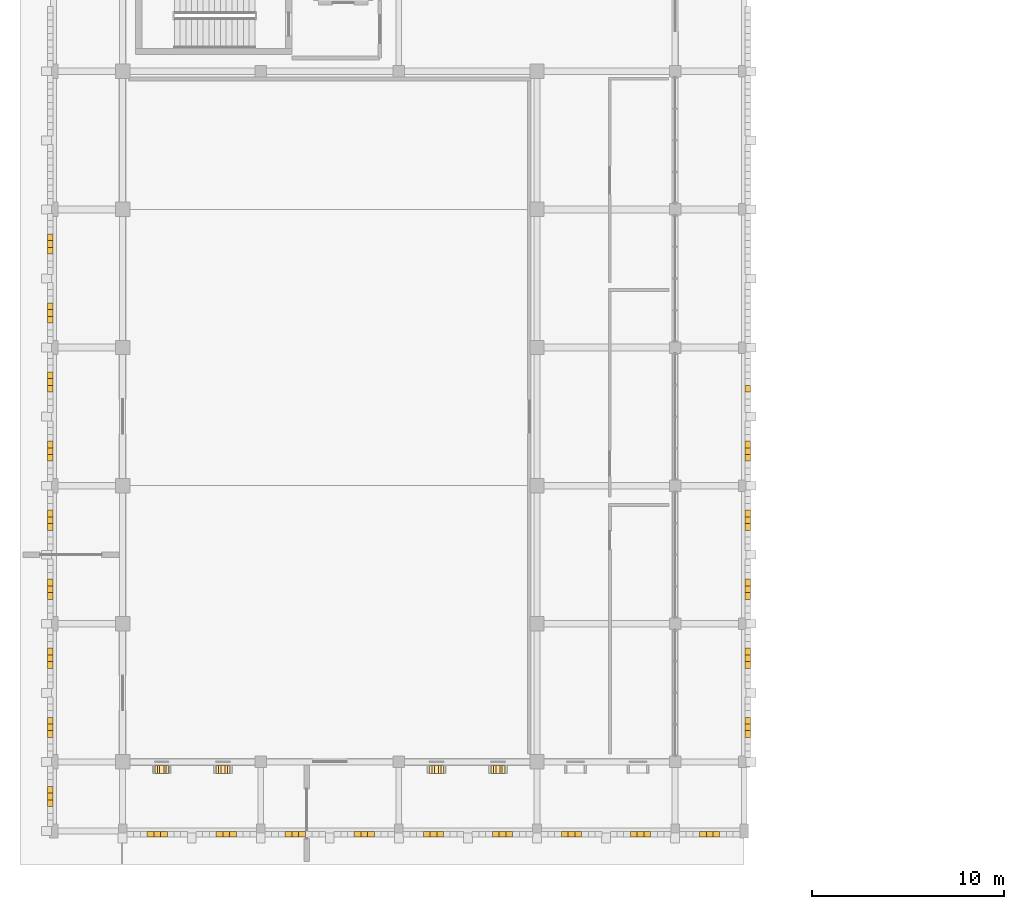
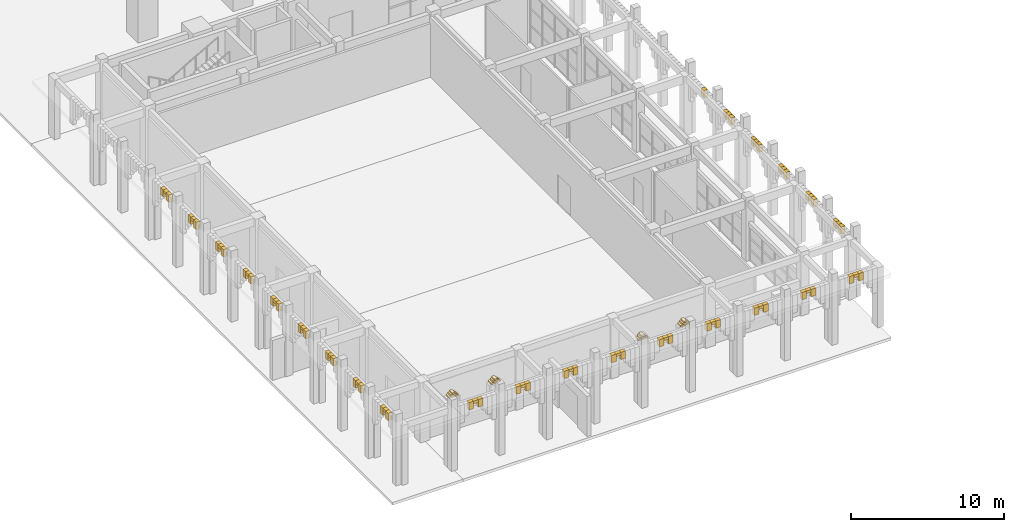
# One storey, part 64 of 72: 82 coverings.
"""IFC4 building model written with IfcOpenShell, lengths in metres."""

import ifcopenshell
import ifcopenshell.guid

model = None  # the IFC model being written
_history = None  # IfcOwnerHistory: only IFC2X3 demands one
_inside = {}  # id of a spatial element -> (the spatial element, [elements in it])
_under = {}  # id of a project, library or spatial element -> (it, [spatial elements below it])
_declared = {}  # id of a project -> (the project, [libraries it declares])
_typed = {}  # id of a type object -> (the type object, [elements of that type])
_made_of = {}  # id of a material, layer set ... -> (it, [elements and type objects made of it])


def new_model(schema):
    """Start an empty IFC model of exactly this schema.

    Asked for "IFC4X3", IfcOpenShell would pick the latest addendum, in which some entities
    have other attributes; the version numbers below select the first issue.
    IFC2X3 requires an IfcOwnerHistory on every rooted entity: one is made here for all.
    """
    global model, _history
    if schema == "IFC4X3":
        model = ifcopenshell.file(schema_version=(4, 3, 0, 0))
    else:
        model = ifcopenshell.file(schema=schema)
    _inside.clear()
    _under.clear()
    _declared.clear()
    _typed.clear()
    _made_of.clear()
    _history = None
    if model.schema == "IFC2X3":
        org = make("IfcOrganization", Name="unknown")
        user = make(
            "IfcPersonAndOrganization",
            ThePerson=make("IfcPerson", FamilyName="unknown"),
            TheOrganization=org,
        )
        app = make(
            "IfcApplication",
            ApplicationDeveloper=org,
            Version="unknown",
            ApplicationFullName="unknown",
            ApplicationIdentifier="unknown",
        )
        _history = make(
            "IfcOwnerHistory",
            OwningUser=user,
            OwningApplication=app,
            ChangeAction="ADDED",
            CreationDate=0,
        )
    return model


def make(cls, **values):
    """One entity of the class cls with the attributes given. An attribute that is None is left unset."""
    return model.create_entity(
        cls, **{name: value for name, value in values.items() if value is not None}
    )


def rooted(cls, **values):
    """An entity with a GlobalId (a new one), such as an element, a storey or a relation."""
    return make(cls, GlobalId=ifcopenshell.guid.new(), OwnerHistory=_history, **values)


def si_unit(unit_type, name, prefix=None):
    """IfcSIUnit, for example si_unit("LENGTHUNIT", "METRE", prefix="MILLI")."""
    return make("IfcSIUnit", UnitType=unit_type, Prefix=prefix, Name=name)


def assignment(units):
    """IfcUnitAssignment: the units of a project."""
    return None if units is None else make("IfcUnitAssignment", Units=units)


def point(xyz):
    """IfcCartesianPoint."""
    return None if xyz is None else make("IfcCartesianPoint", Coordinates=xyz)


def direction(xyz):
    """IfcDirection."""
    return None if xyz is None else make("IfcDirection", DirectionRatios=xyz)


def frame(location, z_axis=None, x_axis=None):
    """IfcAxis2Placement3D, a coordinate frame: its origin and axes. An axis left out is left unset."""
    return make(
        "IfcAxis2Placement3D",
        Location=point(location),
        Axis=direction(z_axis),
        RefDirection=direction(x_axis),
    )


def frame_2d(location, x_axis=None):
    """IfcAxis2Placement2D, a coordinate frame in the plane: its origin and x axis."""
    return make(
        "IfcAxis2Placement2D", Location=point(location), RefDirection=direction(x_axis)
    )


def origin():
    """The frame at (0, 0, 0) with its axes left unset."""
    return frame((0.0, 0.0, 0.0))


def origin_2d():
    """The frame at (0, 0) in the plane with its x axis left unset."""
    return frame_2d((0.0, 0.0))


def place(relative_to, where):
    """IfcLocalPlacement: puts the frame where relative to a parent placement (None: the world)."""
    return make(
        "IfcLocalPlacement", PlacementRelTo=relative_to, RelativePlacement=where
    )


def context(
    kind, dimensions, precision=None, world=None, true_north=None, identifier=None
):
    """IfcGeometricRepresentationContext, for example the 3D "Model" context."""
    return make(
        "IfcGeometricRepresentationContext",
        ContextIdentifier=identifier,
        ContextType=kind,
        CoordinateSpaceDimension=dimensions,
        Precision=precision,
        WorldCoordinateSystem=world,
        TrueNorth=true_north,
    )


def subcontext(parent, identifier, kind, view, scale=None):
    """IfcGeometricRepresentationSubContext, for example "Body" below "Model"."""
    return make(
        "IfcGeometricRepresentationSubContext",
        ContextIdentifier=identifier,
        ContextType=kind,
        ParentContext=parent,
        TargetScale=scale,
        TargetView=view,
    )


def project(units=None, contexts=None):
    """IfcProject with its units and contexts."""
    return rooted(
        "IfcProject",
        Name="project",
        RepresentationContexts=contexts,
        UnitsInContext=assignment(units),
    )


def spatial(cls, under=None, at=None, **own):
    """A site, building, storey or space (cls), placed at a placement, below another one or the project."""
    s = rooted(cls, ObjectPlacement=at, **own)
    if under is not None:
        _under.setdefault(under.id(), (under, []))[1].append(s)
    return s


def profile(cls, at=None, kind="AREA", **sizes):
    """A parametric profile (cls). Its sizes go by their IFC names, for example OverallWidth=200.0."""
    return make(cls, ProfileType=kind, Position=at, **sizes)


def rectangle(**sizes):
    """IfcRectangleProfileDef."""
    return profile("IfcRectangleProfileDef", **sizes)


def extrude(swept, where, along, depth):
    """IfcExtrudedAreaSolid: the profile swept, set in the frame where, extruded along a direction by depth."""
    return make(
        "IfcExtrudedAreaSolid",
        SweptArea=swept,
        Position=where,
        ExtrudedDirection=direction(along),
        Depth=depth,
    )


def shape(context_of_items, identifier, shape_type, items):
    """IfcShapeRepresentation: the items that make up one representation, for example the "Body"."""
    return make(
        "IfcShapeRepresentation",
        ContextOfItems=context_of_items,
        RepresentationIdentifier=identifier,
        RepresentationType=shape_type,
        Items=items,
    )


def material(Name=None, Category=None):
    """IfcMaterial."""
    return make("IfcMaterial", Name=Name, Category=Category)


def layer(
    of_material, thickness, ventilated=None, Name=None, Category=None, Priority=None
):
    """IfcMaterialLayer: one layer of a wall or slab, of a material (None: an air gap)."""
    return make(
        "IfcMaterialLayer",
        Material=of_material,
        LayerThickness=thickness,
        IsVentilated=ventilated,
        Name=Name,
        Category=Category,
        Priority=Priority,
    )


def layer_set(layers, Name=None):
    """IfcMaterialLayerSet."""
    return make("IfcMaterialLayerSet", MaterialLayers=layers, LayerSetName=Name)


def made_of(thing, what):
    """Note that an element or type object is made of a material, layer set ...; save() writes the relation."""
    if what is not None:
        _made_of.setdefault(what.id(), (what, []))[1].append(thing)
    return thing


def type_object(cls, material=None, **own):
    """A type object (cls), such as IfcWallType, which elements share."""
    return made_of(rooted(cls, **own), material)


def element(
    cls,
    number,
    at=None,
    inside=None,
    cuts=None,
    type_object=None,
    material=None,
    context=None,
    identifier="Body",
    shape_type=None,
    held_by="IfcProductDefinitionShape",
    body=None,
    shapes=None,
    **own,
):
    """One element of the class cls, such as IfcWall. Its Tag is "e" and its number.

    at: its placement. inside: the storey or other place that contains it. cuts: it is an
    opening in that element (IfcRelVoidsElement). A single representation is given by context,
    identifier, shape_type and body (its items); several are given by shapes. held_by: the class
    of the entity that holds the representations. save() writes the other relations.
    """
    e = rooted(cls, Tag="e%d" % number, ObjectPlacement=at, **own)
    if body is not None:
        shapes = [shape(context, identifier, shape_type, body)]
    if shapes is not None:
        e.Representation = make(held_by, Representations=shapes)
    if inside is not None:
        _inside.setdefault(inside.id(), (inside, []))[1].append(e)
    if cuts is not None:
        rooted(
            "IfcRelVoidsElement", RelatingBuildingElement=cuts, RelatedOpeningElement=e
        )
    if type_object is not None:
        _typed.setdefault(type_object.id(), (type_object, []))[1].append(e)
    return made_of(e, material)


def aggregate(whole, parts):
    """IfcRelAggregates: a whole, such as a stair, and the parts it consists of."""
    return rooted("IfcRelAggregates", RelatingObject=whole, RelatedObjects=parts)


def save(model, path):
    """Write the relations noted so far, then the file.

    IfcRelAggregates (storeys below a building ...), IfcRelContainedInSpatialStructure (elements
    in a storey), IfcRelDefinesByType, IfcRelAssociatesMaterial and IfcRelDeclares: one each for
    every whole, place, type object, material and project.
    """
    for whole, parts in _under.values():
        aggregate(whole, parts)
    for where, things in _inside.values():
        rooted(
            "IfcRelContainedInSpatialStructure",
            RelatedElements=things,
            RelatingStructure=where,
        )
    for kind, things in _typed.values():
        rooted("IfcRelDefinesByType", RelatedObjects=things, RelatingType=kind)
    for what, things in _made_of.values():
        rooted("IfcRelAssociatesMaterial", RelatedObjects=things, RelatingMaterial=what)
    for by, libraries in _declared.values():
        rooted("IfcRelDeclares", RelatingContext=by, RelatedDefinitions=libraries)
    model.write(path)


model = new_model("IFC4")

# Units and contexts
model_context = context("Model", 3, precision=1e-05, world=origin(), true_north=direction((0.0, 1.0)))
body_context = subcontext(model_context, "Body", "Model", "MODEL_VIEW")
ifc_project = project(units=[si_unit("LENGTHUNIT", "METRE"), si_unit("AREAUNIT", "SQUARE_METRE"), si_unit("VOLUMEUNIT", "CUBIC_METRE"), si_unit("PLANEANGLEUNIT", "RADIAN"), si_unit("MASSUNIT", "GRAM", prefix="KILO")], contexts=[model_context])

# Site, building, storey
site_placement = place(None, origin())
site = spatial("IfcSite", under=ifc_project, at=site_placement, CompositionType="ELEMENT")
building_placement = place(site_placement, origin())
building = spatial("IfcBuilding", under=site, at=building_placement, Name="Nzembalo Square Collegiate School", CompositionType="ELEMENT")
storey_placement = place(building_placement, origin())
storey = spatial("IfcBuildingStorey", under=building, at=storey_placement, Name="L00", CompositionType="ELEMENT", Elevation=0.0)

# Coverings
ifc_material_1 = material(Name="Precast concrete C40/50 arch voussoir", Category="concrete")
ifc_layer_1 = layer(ifc_material_1, 0.1201171875, Name="Precast concrete C40/50 arch voussoir")
ifc_layer_set_1 = layer_set([ifc_layer_1], Name="Precast concrete C40/50 arch voussoir")
covering_type_1 = type_object("IfcCoveringType", Name="AR01", PredefinedType="CLADDING", material=ifc_layer_set_1)
covering_1_placement = place(storey_placement, frame((4.6201171875, 6.248779296875, 4.2109375), z_axis=(0.0, 0.0, 1.0), x_axis=(1.0, 0.0, 0.0)))
element("IfcCovering", 1, at=covering_1_placement, inside=storey, type_object=covering_type_1, Name="Gothic pointed arch voussoir AR01-001-3", PredefinedType="CLADDING", context=body_context, shape_type="SweptSolid", body=[
    extrude(rectangle(XDim=0.280029296875, YDim=0.35107421875, at=origin_2d()), origin(), (0.0, 0.0, 1.0), 0.589111328125),
])
covering_2_placement = place(storey_placement, frame((4.6201171875, 6.599853515625, 4.579833984375), z_axis=(0.0, 0.0, 1.0), x_axis=(1.0, 0.0, 0.0)))
element("IfcCovering", 2, at=covering_2_placement, inside=storey, type_object=covering_type_1, Name="Gothic pointed arch voussoir AR01-001-4", PredefinedType="CLADDING", context=body_context, shape_type="SweptSolid", body=[
    extrude(rectangle(XDim=0.280029296875, YDim=0.35107421875, at=origin_2d()), origin(), (0.0, 0.0, 1.0), 0.22021484375),
])
for number, where, z_axis, x_axis, name in (
    (3, (4.6201171875, 6.950927734375, 4.2109375), (0.0, 0.0, 1.0), (1.0, 0.0, 0.0), "Gothic pointed arch voussoir AR01-001-5"),
    (4, (4.6201171875, 9.848876953125, 4.2109375), (0.0, 0.0, 1.0), (1.0, 0.0, 0.0), "Gothic pointed arch voussoir AR01-002-3"),
):
    element("IfcCovering", number, at=place(storey_placement, frame(where, z_axis=z_axis, x_axis=x_axis)), inside=storey, type_object=covering_type_1, Name=name, PredefinedType="CLADDING", context=body_context, shape_type="SweptSolid", body=[
        extrude(rectangle(XDim=0.280029296875, YDim=0.35107421875, at=origin_2d()), origin(), (0.0, 0.0, 1.0), 0.589111328125),
    ])
covering_3_placement = place(storey_placement, frame((4.6201171875, 10.199951171875, 4.579833984375), z_axis=(0.0, 0.0, 1.0), x_axis=(1.0, 0.0, 0.0)))
element("IfcCovering", 5, at=covering_3_placement, inside=storey, type_object=covering_type_1, Name="Gothic pointed arch voussoir AR01-002-4", PredefinedType="CLADDING", context=body_context, shape_type="SweptSolid", body=[
    extrude(rectangle(XDim=0.280029296875, YDim=0.35107421875, at=origin_2d()), origin(), (0.0, 0.0, 1.0), 0.22021484375),
])
for number, where, z_axis, x_axis, name in (
    (6, (4.6201171875, 10.551025390625, 4.2109375), (0.0, 0.0, 1.0), (1.0, 0.0, 0.0), "Gothic pointed arch voussoir AR01-002-5"),
    (7, (4.6201171875, 13.44873046875, 4.2109375), (0.0, 0.0, 1.0), (1.0, 0.0, 0.0), "Gothic pointed arch voussoir AR01-003-3"),
):
    element("IfcCovering", number, at=place(storey_placement, frame(where, z_axis=z_axis, x_axis=x_axis)), inside=storey, type_object=covering_type_1, Name=name, PredefinedType="CLADDING", context=body_context, shape_type="SweptSolid", body=[
        extrude(rectangle(XDim=0.280029296875, YDim=0.35107421875, at=origin_2d()), origin(), (0.0, 0.0, 1.0), 0.589111328125),
    ])
covering_4_placement = place(storey_placement, frame((4.6201171875, 13.7998046875, 4.579833984375), z_axis=(0.0, 0.0, 1.0), x_axis=(1.0, 0.0, 0.0)))
element("IfcCovering", 8, at=covering_4_placement, inside=storey, type_object=covering_type_1, Name="Gothic pointed arch voussoir AR01-003-4", PredefinedType="CLADDING", context=body_context, shape_type="SweptSolid", body=[
    extrude(rectangle(XDim=0.280029296875, YDim=0.35107421875, at=origin_2d()), origin(), (0.0, 0.0, 1.0), 0.22021484375),
])
for number, where, z_axis, x_axis, name in (
    (9, (4.6201171875, 14.15087890625, 4.2109375), (0.0, 0.0, 1.0), (1.0, 0.0, 0.0), "Gothic pointed arch voussoir AR01-003-5"),
    (10, (4.6201171875, 17.048828125, 4.2109375), (0.0, 0.0, 1.0), (1.0, 0.0, 0.0), "Gothic pointed arch voussoir AR01-004-3"),
):
    element("IfcCovering", number, at=place(storey_placement, frame(where, z_axis=z_axis, x_axis=x_axis)), inside=storey, type_object=covering_type_1, Name=name, PredefinedType="CLADDING", context=body_context, shape_type="SweptSolid", body=[
        extrude(rectangle(XDim=0.280029296875, YDim=0.35107421875, at=origin_2d()), origin(), (0.0, 0.0, 1.0), 0.589111328125),
    ])
covering_5_placement = place(storey_placement, frame((4.6201171875, 17.39990234375, 4.579833984375), z_axis=(0.0, 0.0, 1.0), x_axis=(1.0, 0.0, 0.0)))
element("IfcCovering", 11, at=covering_5_placement, inside=storey, type_object=covering_type_1, Name="Gothic pointed arch voussoir AR01-004-4", PredefinedType="CLADDING", context=body_context, shape_type="SweptSolid", body=[
    extrude(rectangle(XDim=0.280029296875, YDim=0.35107421875, at=origin_2d()), origin(), (0.0, 0.0, 1.0), 0.22021484375),
])
for number, where, z_axis, x_axis, name in (
    (12, (4.6201171875, 17.7509765625, 4.2109375), (0.0, 0.0, 1.0), (1.0, 0.0, 0.0), "Gothic pointed arch voussoir AR01-004-5"),
    (13, (4.6201171875, 20.648681640625, 4.2109375), (0.0, 0.0, 1.0), (1.0, 0.0, 0.0), "Gothic pointed arch voussoir AR01-005-3"),
):
    element("IfcCovering", number, at=place(storey_placement, frame(where, z_axis=z_axis, x_axis=x_axis)), inside=storey, type_object=covering_type_1, Name=name, PredefinedType="CLADDING", context=body_context, shape_type="SweptSolid", body=[
        extrude(rectangle(XDim=0.280029296875, YDim=0.35107421875, at=origin_2d()), origin(), (0.0, 0.0, 1.0), 0.589111328125),
    ])
covering_6_placement = place(storey_placement, frame((4.6201171875, 21.0, 4.579833984375), z_axis=(0.0, 0.0, 1.0), x_axis=(1.0, 0.0, 0.0)))
element("IfcCovering", 14, at=covering_6_placement, inside=storey, type_object=covering_type_1, Name="Gothic pointed arch voussoir AR01-005-4", PredefinedType="CLADDING", context=body_context, shape_type="SweptSolid", body=[
    extrude(rectangle(XDim=0.280029296875, YDim=0.35107421875, at=origin_2d()), origin(), (0.0, 0.0, 1.0), 0.22021484375),
])
for number, where, z_axis, x_axis, name in (
    (15, (4.6201171875, 21.35107421875, 4.2109375), (0.0, 0.0, 1.0), (1.0, 0.0, 0.0), "Gothic pointed arch voussoir AR01-005-5"),
    (16, (4.6201171875, 24.248779296875, 4.2109375), (0.0, 0.0, 1.0), (1.0, 0.0, 0.0), "Gothic pointed arch voussoir AR01-006-3"),
):
    element("IfcCovering", number, at=place(storey_placement, frame(where, z_axis=z_axis, x_axis=x_axis)), inside=storey, type_object=covering_type_1, Name=name, PredefinedType="CLADDING", context=body_context, shape_type="SweptSolid", body=[
        extrude(rectangle(XDim=0.280029296875, YDim=0.35107421875, at=origin_2d()), origin(), (0.0, 0.0, 1.0), 0.589111328125),
    ])
covering_7_placement = place(storey_placement, frame((4.6201171875, 24.599853515625, 4.579833984375), z_axis=(0.0, 0.0, 1.0), x_axis=(1.0, 0.0, 0.0)))
element("IfcCovering", 17, at=covering_7_placement, inside=storey, type_object=covering_type_1, Name="Gothic pointed arch voussoir AR01-006-4", PredefinedType="CLADDING", context=body_context, shape_type="SweptSolid", body=[
    extrude(rectangle(XDim=0.280029296875, YDim=0.35107421875, at=origin_2d()), origin(), (0.0, 0.0, 1.0), 0.22021484375),
])
for number, where, z_axis, x_axis, name in (
    (18, (4.6201171875, 24.951171875, 4.2109375), (0.0, 0.0, 1.0), (1.0, 0.0, 0.0), "Gothic pointed arch voussoir AR01-006-5"),
    (19, (4.6201171875, 27.848876953125, 4.2109375), (0.0, 0.0, 1.0), (1.0, 0.0, 0.0), "Gothic pointed arch voussoir AR01-007-3"),
):
    element("IfcCovering", number, at=place(storey_placement, frame(where, z_axis=z_axis, x_axis=x_axis)), inside=storey, type_object=covering_type_1, Name=name, PredefinedType="CLADDING", context=body_context, shape_type="SweptSolid", body=[
        extrude(rectangle(XDim=0.280029296875, YDim=0.35107421875, at=origin_2d()), origin(), (0.0, 0.0, 1.0), 0.589111328125),
    ])
covering_8_placement = place(storey_placement, frame((4.6201171875, 28.199951171875, 4.579833984375), z_axis=(0.0, 0.0, 1.0), x_axis=(1.0, 0.0, 0.0)))
element("IfcCovering", 20, at=covering_8_placement, inside=storey, type_object=covering_type_1, Name="Gothic pointed arch voussoir AR01-007-4", PredefinedType="CLADDING", context=body_context, shape_type="SweptSolid", body=[
    extrude(rectangle(XDim=0.280029296875, YDim=0.35107421875, at=origin_2d()), origin(), (0.0, 0.0, 1.0), 0.22021484375),
])
for number, where, z_axis, x_axis, name in (
    (21, (4.6201171875, 28.551025390625, 4.2109375), (0.0, 0.0, 1.0), (1.0, 0.0, 0.0), "Gothic pointed arch voussoir AR01-007-5"),
    (22, (4.6201171875, 31.448974609375, 4.2109375), (0.0, 0.0, 1.0), (1.0, 0.0, 0.0), "Gothic pointed arch voussoir AR01-008-3"),
):
    element("IfcCovering", number, at=place(storey_placement, frame(where, z_axis=z_axis, x_axis=x_axis)), inside=storey, type_object=covering_type_1, Name=name, PredefinedType="CLADDING", context=body_context, shape_type="SweptSolid", body=[
        extrude(rectangle(XDim=0.280029296875, YDim=0.35107421875, at=origin_2d()), origin(), (0.0, 0.0, 1.0), 0.589111328125),
    ])
covering_9_placement = place(storey_placement, frame((4.6201171875, 31.800048828125, 4.579833984375), z_axis=(0.0, 0.0, 1.0), x_axis=(1.0, 0.0, 0.0)))
element("IfcCovering", 23, at=covering_9_placement, inside=storey, type_object=covering_type_1, Name="Gothic pointed arch voussoir AR01-008-4", PredefinedType="CLADDING", context=body_context, shape_type="SweptSolid", body=[
    extrude(rectangle(XDim=0.280029296875, YDim=0.35107421875, at=origin_2d()), origin(), (0.0, 0.0, 1.0), 0.22021484375),
])
for number, where, z_axis, x_axis, name in (
    (24, (4.6201171875, 32.151123046875, 4.2109375), (0.0, 0.0, 1.0), (1.0, 0.0, 0.0), "Gothic pointed arch voussoir AR01-008-5"),
    (25, (4.6201171875, 35.048828125, 4.2109375), (0.0, 0.0, 1.0), (1.0, 0.0, 0.0), "Gothic pointed arch voussoir AR01-009-3"),
):
    element("IfcCovering", number, at=place(storey_placement, frame(where, z_axis=z_axis, x_axis=x_axis)), inside=storey, type_object=covering_type_1, Name=name, PredefinedType="CLADDING", context=body_context, shape_type="SweptSolid", body=[
        extrude(rectangle(XDim=0.280029296875, YDim=0.35107421875, at=origin_2d()), origin(), (0.0, 0.0, 1.0), 0.589111328125),
    ])
covering_10_placement = place(storey_placement, frame((4.6201171875, 35.39990234375, 4.579833984375), z_axis=(0.0, 0.0, 1.0), x_axis=(1.0, 0.0, 0.0)))
element("IfcCovering", 26, at=covering_10_placement, inside=storey, type_object=covering_type_1, Name="Gothic pointed arch voussoir AR01-009-4", PredefinedType="CLADDING", context=body_context, shape_type="SweptSolid", body=[
    extrude(rectangle(XDim=0.280029296875, YDim=0.35107421875, at=origin_2d()), origin(), (0.0, 0.0, 1.0), 0.22021484375),
])
covering_11_placement = place(storey_placement, frame((4.6201171875, 35.751220703125, 4.2109375), z_axis=(0.0, 0.0, 1.0), x_axis=(1.0, 0.0, 0.0)))
element("IfcCovering", 27, at=covering_11_placement, inside=storey, type_object=covering_type_1, Name="Gothic pointed arch voussoir AR01-009-5", PredefinedType="CLADDING", context=body_context, shape_type="SweptSolid", body=[
    extrude(rectangle(XDim=0.280029296875, YDim=0.35107421875, at=origin_2d()), origin(), (0.0, 0.0, 1.0), 0.589111328125),
])
covering_12_placement = place(storey_placement, frame((9.848876953125, 4.6201171875, 4.2109375), z_axis=(0.0, 0.0, 1.0), x_axis=(1.0, 0.0, 0.0)))
element("IfcCovering", 28, at=covering_12_placement, inside=storey, type_object=covering_type_1, Name="Gothic pointed arch voussoir AR01-022-3", PredefinedType="CLADDING", context=body_context, shape_type="SweptSolid", body=[
    extrude(rectangle(XDim=0.35107421875, YDim=0.280029296875, at=origin_2d()), origin(), (0.0, 0.0, 1.0), 0.589111328125),
])
covering_13_placement = place(storey_placement, frame((10.199951171875, 4.6201171875, 4.579833984375), z_axis=(0.0, 0.0, 1.0), x_axis=(1.0, 0.0, 0.0)))
element("IfcCovering", 29, at=covering_13_placement, inside=storey, type_object=covering_type_1, Name="Gothic pointed arch voussoir AR01-022-4", PredefinedType="CLADDING", context=body_context, shape_type="SweptSolid", body=[
    extrude(rectangle(XDim=0.35107421875, YDim=0.280029296875, at=origin_2d()), origin(), (0.0, 0.0, 1.0), 0.22021484375),
])
for number, where, z_axis, x_axis, name in (
    (30, (10.551025390625, 4.6201171875, 4.2109375), (0.0, 0.0, 1.0), (1.0, 0.0, 0.0), "Gothic pointed arch voussoir AR01-022-5"),
    (31, (13.448974609375, 4.6201171875, 4.2109375), (0.0, 0.0, 1.0), (1.0, 0.0, 0.0), "Gothic pointed arch voussoir AR01-023-3"),
):
    element("IfcCovering", number, at=place(storey_placement, frame(where, z_axis=z_axis, x_axis=x_axis)), inside=storey, type_object=covering_type_1, Name=name, PredefinedType="CLADDING", context=body_context, shape_type="SweptSolid", body=[
        extrude(rectangle(XDim=0.35107421875, YDim=0.280029296875, at=origin_2d()), origin(), (0.0, 0.0, 1.0), 0.589111328125),
    ])
covering_14_placement = place(storey_placement, frame((13.800048828125, 4.6201171875, 4.579833984375), z_axis=(0.0, 0.0, 1.0), x_axis=(1.0, 0.0, 0.0)))
element("IfcCovering", 32, at=covering_14_placement, inside=storey, type_object=covering_type_1, Name="Gothic pointed arch voussoir AR01-023-4", PredefinedType="CLADDING", context=body_context, shape_type="SweptSolid", body=[
    extrude(rectangle(XDim=0.35107421875, YDim=0.280029296875, at=origin_2d()), origin(), (0.0, 0.0, 1.0), 0.22021484375),
])
for number, where, z_axis, x_axis, name in (
    (33, (14.151123046875, 4.6201171875, 4.2109375), (0.0, 0.0, 1.0), (1.0, 0.0, 0.0), "Gothic pointed arch voussoir AR01-023-5"),
    (34, (17.048828125, 4.6201171875, 4.2109375), (0.0, 0.0, 1.0), (1.0, 0.0, 0.0), "Gothic pointed arch voussoir AR01-024-3"),
):
    element("IfcCovering", number, at=place(storey_placement, frame(where, z_axis=z_axis, x_axis=x_axis)), inside=storey, type_object=covering_type_1, Name=name, PredefinedType="CLADDING", context=body_context, shape_type="SweptSolid", body=[
        extrude(rectangle(XDim=0.35107421875, YDim=0.280029296875, at=origin_2d()), origin(), (0.0, 0.0, 1.0), 0.589111328125),
    ])
covering_15_placement = place(storey_placement, frame((17.39990234375, 4.6201171875, 4.579833984375), z_axis=(0.0, 0.0, 1.0), x_axis=(1.0, 0.0, 0.0)))
element("IfcCovering", 35, at=covering_15_placement, inside=storey, type_object=covering_type_1, Name="Gothic pointed arch voussoir AR01-024-4", PredefinedType="CLADDING", context=body_context, shape_type="SweptSolid", body=[
    extrude(rectangle(XDim=0.35107421875, YDim=0.280029296875, at=origin_2d()), origin(), (0.0, 0.0, 1.0), 0.22021484375),
])
for number, where, z_axis, x_axis, name in (
    (36, (17.751220703125, 4.6201171875, 4.2109375), (0.0, 0.0, 1.0), (1.0, 0.0, 0.0), "Gothic pointed arch voussoir AR01-024-5"),
    (37, (20.64892578125, 4.6201171875, 4.2109375), (0.0, 0.0, 1.0), (1.0, 0.0, 0.0), "Gothic pointed arch voussoir AR01-025-3"),
):
    element("IfcCovering", number, at=place(storey_placement, frame(where, z_axis=z_axis, x_axis=x_axis)), inside=storey, type_object=covering_type_1, Name=name, PredefinedType="CLADDING", context=body_context, shape_type="SweptSolid", body=[
        extrude(rectangle(XDim=0.35107421875, YDim=0.280029296875, at=origin_2d()), origin(), (0.0, 0.0, 1.0), 0.589111328125),
    ])
covering_16_placement = place(storey_placement, frame((21.0, 4.6201171875, 4.579833984375), z_axis=(0.0, 0.0, 1.0), x_axis=(1.0, 0.0, 0.0)))
element("IfcCovering", 38, at=covering_16_placement, inside=storey, type_object=covering_type_1, Name="Gothic pointed arch voussoir AR01-025-4", PredefinedType="CLADDING", context=body_context, shape_type="SweptSolid", body=[
    extrude(rectangle(XDim=0.35107421875, YDim=0.280029296875, at=origin_2d()), origin(), (0.0, 0.0, 1.0), 0.22021484375),
])
for number, where, z_axis, x_axis, name in (
    (39, (21.35107421875, 4.6201171875, 4.2109375), (0.0, 0.0, 1.0), (1.0, 0.0, 0.0), "Gothic pointed arch voussoir AR01-025-5"),
    (40, (24.248779296875, 4.6201171875, 4.2109375), (0.0, 0.0, 1.0), (1.0, 0.0, 0.0), "Gothic pointed arch voussoir AR01-026-3"),
):
    element("IfcCovering", number, at=place(storey_placement, frame(where, z_axis=z_axis, x_axis=x_axis)), inside=storey, type_object=covering_type_1, Name=name, PredefinedType="CLADDING", context=body_context, shape_type="SweptSolid", body=[
        extrude(rectangle(XDim=0.35107421875, YDim=0.280029296875, at=origin_2d()), origin(), (0.0, 0.0, 1.0), 0.589111328125),
    ])
covering_17_placement = place(storey_placement, frame((24.60009765625, 4.6201171875, 4.579833984375), z_axis=(0.0, 0.0, 1.0), x_axis=(1.0, 0.0, 0.0)))
element("IfcCovering", 41, at=covering_17_placement, inside=storey, type_object=covering_type_1, Name="Gothic pointed arch voussoir AR01-026-4", PredefinedType="CLADDING", context=body_context, shape_type="SweptSolid", body=[
    extrude(rectangle(XDim=0.35107421875, YDim=0.280029296875, at=origin_2d()), origin(), (0.0, 0.0, 1.0), 0.22021484375),
])
for number, where, z_axis, x_axis, name in (
    (42, (24.951171875, 4.6201171875, 4.2109375), (0.0, 0.0, 1.0), (1.0, 0.0, 0.0), "Gothic pointed arch voussoir AR01-026-5"),
    (43, (27.848876953125, 4.6201171875, 4.2109375), (0.0, 0.0, 1.0), (1.0, 0.0, 0.0), "Gothic pointed arch voussoir AR01-027-3"),
):
    element("IfcCovering", number, at=place(storey_placement, frame(where, z_axis=z_axis, x_axis=x_axis)), inside=storey, type_object=covering_type_1, Name=name, PredefinedType="CLADDING", context=body_context, shape_type="SweptSolid", body=[
        extrude(rectangle(XDim=0.35107421875, YDim=0.280029296875, at=origin_2d()), origin(), (0.0, 0.0, 1.0), 0.589111328125),
    ])
covering_18_placement = place(storey_placement, frame((28.199951171875, 4.6201171875, 4.579833984375), z_axis=(0.0, 0.0, 1.0), x_axis=(1.0, 0.0, 0.0)))
element("IfcCovering", 44, at=covering_18_placement, inside=storey, type_object=covering_type_1, Name="Gothic pointed arch voussoir AR01-027-4", PredefinedType="CLADDING", context=body_context, shape_type="SweptSolid", body=[
    extrude(rectangle(XDim=0.35107421875, YDim=0.280029296875, at=origin_2d()), origin(), (0.0, 0.0, 1.0), 0.22021484375),
])
for number, where, z_axis, x_axis, name in (
    (45, (28.551025390625, 4.6201171875, 4.2109375), (0.0, 0.0, 1.0), (1.0, 0.0, 0.0), "Gothic pointed arch voussoir AR01-027-5"),
    (46, (31.448974609375, 4.6201171875, 4.2109375), (0.0, 0.0, 1.0), (1.0, 0.0, 0.0), "Gothic pointed arch voussoir AR01-028-3"),
):
    element("IfcCovering", number, at=place(storey_placement, frame(where, z_axis=z_axis, x_axis=x_axis)), inside=storey, type_object=covering_type_1, Name=name, PredefinedType="CLADDING", context=body_context, shape_type="SweptSolid", body=[
        extrude(rectangle(XDim=0.35107421875, YDim=0.280029296875, at=origin_2d()), origin(), (0.0, 0.0, 1.0), 0.589111328125),
    ])
covering_19_placement = place(storey_placement, frame((31.800048828125, 4.6201171875, 4.579833984375), z_axis=(0.0, 0.0, 1.0), x_axis=(1.0, 0.0, 0.0)))
element("IfcCovering", 47, at=covering_19_placement, inside=storey, type_object=covering_type_1, Name="Gothic pointed arch voussoir AR01-028-4", PredefinedType="CLADDING", context=body_context, shape_type="SweptSolid", body=[
    extrude(rectangle(XDim=0.35107421875, YDim=0.280029296875, at=origin_2d()), origin(), (0.0, 0.0, 1.0), 0.22021484375),
])
for number, where, z_axis, x_axis, name in (
    (48, (32.151123046875, 4.6201171875, 4.2109375), (0.0, 0.0, 1.0), (1.0, 0.0, 0.0), "Gothic pointed arch voussoir AR01-028-5"),
    (49, (35.048828125, 4.6201171875, 4.2109375), (0.0, 0.0, 1.0), (1.0, 0.0, 0.0), "Gothic pointed arch voussoir AR01-029-3"),
):
    element("IfcCovering", number, at=place(storey_placement, frame(where, z_axis=z_axis, x_axis=x_axis)), inside=storey, type_object=covering_type_1, Name=name, PredefinedType="CLADDING", context=body_context, shape_type="SweptSolid", body=[
        extrude(rectangle(XDim=0.35107421875, YDim=0.280029296875, at=origin_2d()), origin(), (0.0, 0.0, 1.0), 0.589111328125),
    ])
covering_20_placement = place(storey_placement, frame((35.39990234375, 4.6201171875, 4.579833984375), z_axis=(0.0, 0.0, 1.0), x_axis=(1.0, 0.0, 0.0)))
element("IfcCovering", 50, at=covering_20_placement, inside=storey, type_object=covering_type_1, Name="Gothic pointed arch voussoir AR01-029-4", PredefinedType="CLADDING", context=body_context, shape_type="SweptSolid", body=[
    extrude(rectangle(XDim=0.35107421875, YDim=0.280029296875, at=origin_2d()), origin(), (0.0, 0.0, 1.0), 0.22021484375),
])
for number, where, z_axis, x_axis, name in (
    (51, (35.751220703125, 4.6201171875, 4.2109375), (0.0, 0.0, 1.0), (1.0, 0.0, 0.0), "Gothic pointed arch voussoir AR01-029-5"),
    (52, (38.64892578125, 4.6201171875, 4.2109375), (0.0, 0.0, 1.0), (1.0, 0.0, 0.0), "Gothic pointed arch voussoir AR01-030-3"),
):
    element("IfcCovering", number, at=place(storey_placement, frame(where, z_axis=z_axis, x_axis=x_axis)), inside=storey, type_object=covering_type_1, Name=name, PredefinedType="CLADDING", context=body_context, shape_type="SweptSolid", body=[
        extrude(rectangle(XDim=0.35107421875, YDim=0.280029296875, at=origin_2d()), origin(), (0.0, 0.0, 1.0), 0.589111328125),
    ])
covering_21_placement = place(storey_placement, frame((39.0, 4.6201171875, 4.579833984375), z_axis=(0.0, 0.0, 1.0), x_axis=(1.0, 0.0, 0.0)))
element("IfcCovering", 53, at=covering_21_placement, inside=storey, type_object=covering_type_1, Name="Gothic pointed arch voussoir AR01-030-4", PredefinedType="CLADDING", context=body_context, shape_type="SweptSolid", body=[
    extrude(rectangle(XDim=0.35107421875, YDim=0.280029296875, at=origin_2d()), origin(), (0.0, 0.0, 1.0), 0.22021484375),
])
covering_22_placement = place(storey_placement, frame((39.35107421875, 4.6201171875, 4.2109375), z_axis=(0.0, 0.0, 1.0), x_axis=(1.0, 0.0, 0.0)))
element("IfcCovering", 54, at=covering_22_placement, inside=storey, type_object=covering_type_1, Name="Gothic pointed arch voussoir AR01-030-5", PredefinedType="CLADDING", context=body_context, shape_type="SweptSolid", body=[
    extrude(rectangle(XDim=0.35107421875, YDim=0.280029296875, at=origin_2d()), origin(), (0.0, 0.0, 1.0), 0.589111328125),
])
covering_23_placement = place(storey_placement, frame((40.97998046875, 9.848876953125, 4.2109375), z_axis=(0.0, 0.0, 1.0), x_axis=(1.0, 0.0, 0.0)))
element("IfcCovering", 55, at=covering_23_placement, inside=storey, type_object=covering_type_1, Name="Gothic pointed arch voussoir AR01-031-3", PredefinedType="CLADDING", context=body_context, shape_type="SweptSolid", body=[
    extrude(rectangle(XDim=0.280029296875, YDim=0.35107421875, at=origin_2d()), origin(), (0.0, 0.0, 1.0), 0.589111328125),
])
covering_24_placement = place(storey_placement, frame((40.97998046875, 10.199951171875, 4.579833984375), z_axis=(0.0, 0.0, 1.0), x_axis=(1.0, 0.0, 0.0)))
element("IfcCovering", 56, at=covering_24_placement, inside=storey, type_object=covering_type_1, Name="Gothic pointed arch voussoir AR01-031-4", PredefinedType="CLADDING", context=body_context, shape_type="SweptSolid", body=[
    extrude(rectangle(XDim=0.280029296875, YDim=0.35107421875, at=origin_2d()), origin(), (0.0, 0.0, 1.0), 0.22021484375),
])
for number, where, z_axis, x_axis, name in (
    (57, (40.97998046875, 10.551025390625, 4.2109375), (0.0, 0.0, 1.0), (1.0, 0.0, 0.0), "Gothic pointed arch voussoir AR01-031-5"),
    (58, (40.97998046875, 13.448974609375, 4.2109375), (0.0, 0.0, 1.0), (1.0, 0.0, 0.0), "Gothic pointed arch voussoir AR01-032-3"),
):
    element("IfcCovering", number, at=place(storey_placement, frame(where, z_axis=z_axis, x_axis=x_axis)), inside=storey, type_object=covering_type_1, Name=name, PredefinedType="CLADDING", context=body_context, shape_type="SweptSolid", body=[
        extrude(rectangle(XDim=0.280029296875, YDim=0.35107421875, at=origin_2d()), origin(), (0.0, 0.0, 1.0), 0.589111328125),
    ])
covering_25_placement = place(storey_placement, frame((40.97998046875, 13.800048828125, 4.579833984375), z_axis=(0.0, 0.0, 1.0), x_axis=(1.0, 0.0, 0.0)))
element("IfcCovering", 59, at=covering_25_placement, inside=storey, type_object=covering_type_1, Name="Gothic pointed arch voussoir AR01-032-4", PredefinedType="CLADDING", context=body_context, shape_type="SweptSolid", body=[
    extrude(rectangle(XDim=0.280029296875, YDim=0.35107421875, at=origin_2d()), origin(), (0.0, 0.0, 1.0), 0.22021484375),
])
for number, where, z_axis, x_axis, name in (
    (60, (40.97998046875, 14.151123046875, 4.2109375), (0.0, 0.0, 1.0), (1.0, 0.0, 0.0), "Gothic pointed arch voussoir AR01-032-5"),
    (61, (40.97998046875, 17.048828125, 4.2109375), (0.0, 0.0, 1.0), (1.0, 0.0, 0.0), "Gothic pointed arch voussoir AR01-033-3"),
):
    element("IfcCovering", number, at=place(storey_placement, frame(where, z_axis=z_axis, x_axis=x_axis)), inside=storey, type_object=covering_type_1, Name=name, PredefinedType="CLADDING", context=body_context, shape_type="SweptSolid", body=[
        extrude(rectangle(XDim=0.280029296875, YDim=0.35107421875, at=origin_2d()), origin(), (0.0, 0.0, 1.0), 0.589111328125),
    ])
covering_26_placement = place(storey_placement, frame((40.97998046875, 17.39990234375, 4.579833984375), z_axis=(0.0, 0.0, 1.0), x_axis=(1.0, 0.0, 0.0)))
element("IfcCovering", 62, at=covering_26_placement, inside=storey, type_object=covering_type_1, Name="Gothic pointed arch voussoir AR01-033-4", PredefinedType="CLADDING", context=body_context, shape_type="SweptSolid", body=[
    extrude(rectangle(XDim=0.280029296875, YDim=0.35107421875, at=origin_2d()), origin(), (0.0, 0.0, 1.0), 0.22021484375),
])
for number, where, z_axis, x_axis, name in (
    (63, (40.97998046875, 17.751220703125, 4.2109375), (0.0, 0.0, 1.0), (1.0, 0.0, 0.0), "Gothic pointed arch voussoir AR01-033-5"),
    (64, (40.97998046875, 20.64892578125, 4.2109375), (0.0, 0.0, 1.0), (1.0, 0.0, 0.0), "Gothic pointed arch voussoir AR01-034-3"),
):
    element("IfcCovering", number, at=place(storey_placement, frame(where, z_axis=z_axis, x_axis=x_axis)), inside=storey, type_object=covering_type_1, Name=name, PredefinedType="CLADDING", context=body_context, shape_type="SweptSolid", body=[
        extrude(rectangle(XDim=0.280029296875, YDim=0.35107421875, at=origin_2d()), origin(), (0.0, 0.0, 1.0), 0.589111328125),
    ])
covering_27_placement = place(storey_placement, frame((40.97998046875, 21.0, 4.579833984375), z_axis=(0.0, 0.0, 1.0), x_axis=(1.0, 0.0, 0.0)))
element("IfcCovering", 65, at=covering_27_placement, inside=storey, type_object=covering_type_1, Name="Gothic pointed arch voussoir AR01-034-4", PredefinedType="CLADDING", context=body_context, shape_type="SweptSolid", body=[
    extrude(rectangle(XDim=0.280029296875, YDim=0.35107421875, at=origin_2d()), origin(), (0.0, 0.0, 1.0), 0.22021484375),
])
for number, where, z_axis, x_axis, name in (
    (66, (40.97998046875, 21.35107421875, 4.2109375), (0.0, 0.0, 1.0), (1.0, 0.0, 0.0), "Gothic pointed arch voussoir AR01-034-5"),
    (67, (40.97998046875, 24.248779296875, 4.2109375), (0.0, 0.0, 1.0), (1.0, 0.0, 0.0), "Gothic pointed arch voussoir AR01-035-3"),
):
    element("IfcCovering", number, at=place(storey_placement, frame(where, z_axis=z_axis, x_axis=x_axis)), inside=storey, type_object=covering_type_1, Name=name, PredefinedType="CLADDING", context=body_context, shape_type="SweptSolid", body=[
        extrude(rectangle(XDim=0.280029296875, YDim=0.35107421875, at=origin_2d()), origin(), (0.0, 0.0, 1.0), 0.589111328125),
    ])
covering_28_placement = place(storey_placement, frame((40.97998046875, 24.60009765625, 4.579833984375), z_axis=(0.0, 0.0, 1.0), x_axis=(1.0, 0.0, 0.0)))
element("IfcCovering", 68, at=covering_28_placement, inside=storey, type_object=covering_type_1, Name="Gothic pointed arch voussoir AR01-035-4", PredefinedType="CLADDING", context=body_context, shape_type="SweptSolid", body=[
    extrude(rectangle(XDim=0.280029296875, YDim=0.35107421875, at=origin_2d()), origin(), (0.0, 0.0, 1.0), 0.22021484375),
])
for number, where, z_axis, x_axis, name in (
    (69, (40.97998046875, 24.951171875, 4.2109375), (0.0, 0.0, 1.0), (1.0, 0.0, 0.0), "Gothic pointed arch voussoir AR01-035-5"),
    (70, (40.97998046875, 27.848876953125, 4.2109375), (0.0, 0.0, 1.0), (1.0, 0.0, 0.0), "Gothic pointed arch voussoir AR01-036-3"),
):
    element("IfcCovering", number, at=place(storey_placement, frame(where, z_axis=z_axis, x_axis=x_axis)), inside=storey, type_object=covering_type_1, Name=name, PredefinedType="CLADDING", context=body_context, shape_type="SweptSolid", body=[
        extrude(rectangle(XDim=0.280029296875, YDim=0.35107421875, at=origin_2d()), origin(), (0.0, 0.0, 1.0), 0.589111328125),
    ])
ifc_material_2 = material(Name="Glazed celadon ceramic window frame")
ifc_layer_2 = layer(ifc_material_2, 0.419921875, Name="Glazed celadon ceramic window frame")
ifc_layer_set_2 = layer_set([ifc_layer_2], Name="Glazed celadon ceramic window frame")
covering_type_2 = type_object("IfcCoveringType", Name="WF01", PredefinedType="CLADDING", material=ifc_layer_set_2)
covering_29_placement = place(storey_placement, frame((10.439697265625, 8.014892578125, 2.9599609375), z_axis=(0.0, 0.0, 1.0), x_axis=(1.0, 0.0, 0.0)))
element("IfcCovering", 71, at=covering_29_placement, inside=storey, type_object=covering_type_2, Name="Pointed lancet gable WF01-0001-1", PredefinedType="CLADDING", context=body_context, shape_type="SweptSolid", body=[
    extrude(rectangle(XDim=0.721923828125, YDim=0.419921875, at=origin_2d()), origin(), (0.0, 0.0, 1.0), 0.1201171875),
])
covering_30_placement = place(storey_placement, frame((10.439697265625, 8.014892578125, 3.079833984375), z_axis=(0.0, 0.0, 1.0), x_axis=(1.0, 0.0, 0.0)))
element("IfcCovering", 72, at=covering_30_placement, inside=storey, type_object=covering_type_2, Name="Pointed lancet gable WF01-0001-2", PredefinedType="CLADDING", context=body_context, shape_type="SweptSolid", body=[
    extrude(rectangle(XDim=0.4560546875, YDim=0.419921875, at=origin_2d()), origin(), (0.0, 0.0, 1.0), 0.1201171875),
])
covering_31_placement = place(storey_placement, frame((10.439697265625, 8.014892578125, 3.199951171875), z_axis=(0.0, 0.0, 1.0), x_axis=(1.0, 0.0, 0.0)))
element("IfcCovering", 73, at=covering_31_placement, inside=storey, type_object=covering_type_2, Name="Pointed lancet gable WF01-0001-3", PredefinedType="CLADDING", context=body_context, shape_type="SweptSolid", body=[
    extrude(rectangle(XDim=0.208984375, YDim=0.419921875, at=origin_2d()), origin(), (0.0, 0.0, 1.0), 0.1201171875),
])
covering_32_placement = place(storey_placement, frame((13.63525390625, 8.014892578125, 2.9599609375), z_axis=(0.0, 0.0, 1.0), x_axis=(1.0, 0.0, 0.0)))
element("IfcCovering", 74, at=covering_32_placement, inside=storey, type_object=covering_type_2, Name="Pointed lancet gable WF01-0002-1", PredefinedType="CLADDING", context=body_context, shape_type="SweptSolid", body=[
    extrude(rectangle(XDim=0.721923828125, YDim=0.419921875, at=origin_2d()), origin(), (0.0, 0.0, 1.0), 0.1201171875),
])
covering_33_placement = place(storey_placement, frame((13.63525390625, 8.014892578125, 3.079833984375), z_axis=(0.0, 0.0, 1.0), x_axis=(1.0, 0.0, 0.0)))
element("IfcCovering", 75, at=covering_33_placement, inside=storey, type_object=covering_type_2, Name="Pointed lancet gable WF01-0002-2", PredefinedType="CLADDING", context=body_context, shape_type="SweptSolid", body=[
    extrude(rectangle(XDim=0.4560546875, YDim=0.419921875, at=origin_2d()), origin(), (0.0, 0.0, 1.0), 0.1201171875),
])
covering_34_placement = place(storey_placement, frame((13.63525390625, 8.014892578125, 3.199951171875), z_axis=(0.0, 0.0, 1.0), x_axis=(1.0, 0.0, 0.0)))
element("IfcCovering", 76, at=covering_34_placement, inside=storey, type_object=covering_type_2, Name="Pointed lancet gable WF01-0002-3", PredefinedType="CLADDING", context=body_context, shape_type="SweptSolid", body=[
    extrude(rectangle(XDim=0.208984375, YDim=0.419921875, at=origin_2d()), origin(), (0.0, 0.0, 1.0), 0.1201171875),
])
covering_35_placement = place(storey_placement, frame((24.7646484375, 8.014892578125, 2.56005859375), z_axis=(0.0, 0.0, 1.0), x_axis=(1.0, 0.0, 0.0)))
element("IfcCovering", 77, at=covering_35_placement, inside=storey, type_object=covering_type_2, Name="Pointed lancet gable WF01-0003-1", PredefinedType="CLADDING", context=body_context, shape_type="SweptSolid", body=[
    extrude(rectangle(XDim=0.721923828125, YDim=0.419921875, at=origin_2d()), origin(), (0.0, 0.0, 1.0), 0.1201171875),
])
covering_36_placement = place(storey_placement, frame((24.7646484375, 8.014892578125, 2.679931640625), z_axis=(0.0, 0.0, 1.0), x_axis=(1.0, 0.0, 0.0)))
element("IfcCovering", 78, at=covering_36_placement, inside=storey, type_object=covering_type_2, Name="Pointed lancet gable WF01-0003-2", PredefinedType="CLADDING", context=body_context, shape_type="SweptSolid", body=[
    extrude(rectangle(XDim=0.4560546875, YDim=0.419921875, at=origin_2d()), origin(), (0.0, 0.0, 1.0), 0.1201171875),
])
covering_37_placement = place(storey_placement, frame((24.7646484375, 8.014892578125, 2.800048828125), z_axis=(0.0, 0.0, 1.0), x_axis=(1.0, 0.0, 0.0)))
element("IfcCovering", 79, at=covering_37_placement, inside=storey, type_object=covering_type_2, Name="Pointed lancet gable WF01-0003-3", PredefinedType="CLADDING", context=body_context, shape_type="SweptSolid", body=[
    extrude(rectangle(XDim=0.208984375, YDim=0.419921875, at=origin_2d()), origin(), (0.0, 0.0, 1.0), 0.1201171875),
])
covering_38_placement = place(storey_placement, frame((27.960205078125, 8.014892578125, 2.56005859375), z_axis=(0.0, 0.0, 1.0), x_axis=(1.0, 0.0, 0.0)))
element("IfcCovering", 80, at=covering_38_placement, inside=storey, type_object=covering_type_2, Name="Pointed lancet gable WF01-0004-1", PredefinedType="CLADDING", context=body_context, shape_type="SweptSolid", body=[
    extrude(rectangle(XDim=0.721923828125, YDim=0.419921875, at=origin_2d()), origin(), (0.0, 0.0, 1.0), 0.1201171875),
])
covering_39_placement = place(storey_placement, frame((27.960205078125, 8.014892578125, 2.679931640625), z_axis=(0.0, 0.0, 1.0), x_axis=(1.0, 0.0, 0.0)))
element("IfcCovering", 81, at=covering_39_placement, inside=storey, type_object=covering_type_2, Name="Pointed lancet gable WF01-0004-2", PredefinedType="CLADDING", context=body_context, shape_type="SweptSolid", body=[
    extrude(rectangle(XDim=0.4560546875, YDim=0.419921875, at=origin_2d()), origin(), (0.0, 0.0, 1.0), 0.1201171875),
])
covering_40_placement = place(storey_placement, frame((27.960205078125, 8.014892578125, 2.800048828125), z_axis=(0.0, 0.0, 1.0), x_axis=(1.0, 0.0, 0.0)))
element("IfcCovering", 82, at=covering_40_placement, inside=storey, type_object=covering_type_2, Name="Pointed lancet gable WF01-0004-3", PredefinedType="CLADDING", context=body_context, shape_type="SweptSolid", body=[
    extrude(rectangle(XDim=0.208984375, YDim=0.419921875, at=origin_2d()), origin(), (0.0, 0.0, 1.0), 0.1201171875),
])

save(model, "model.ifc")
